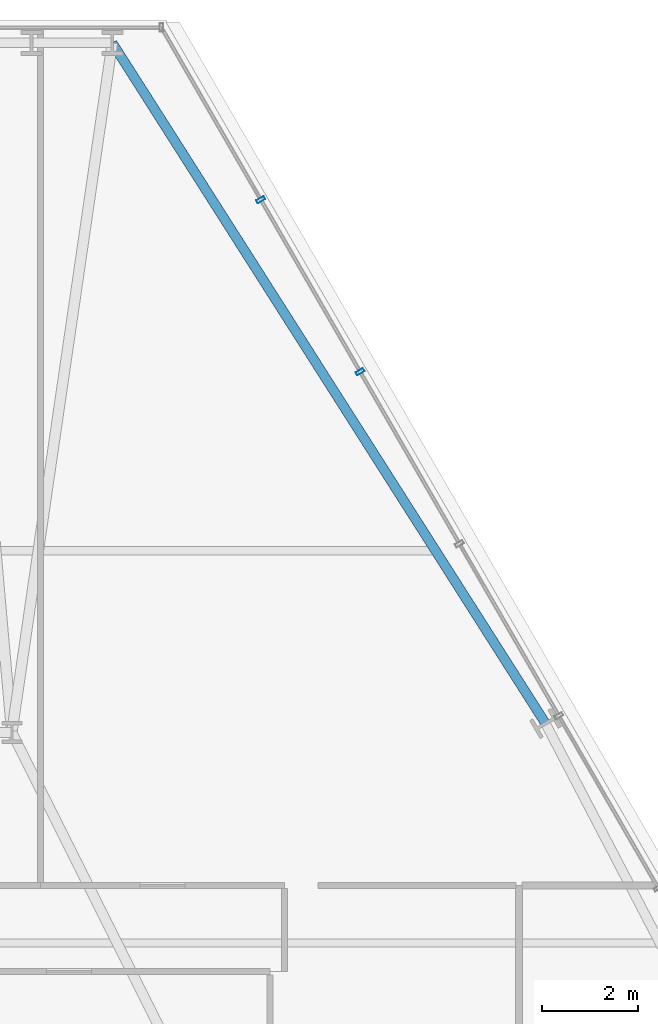
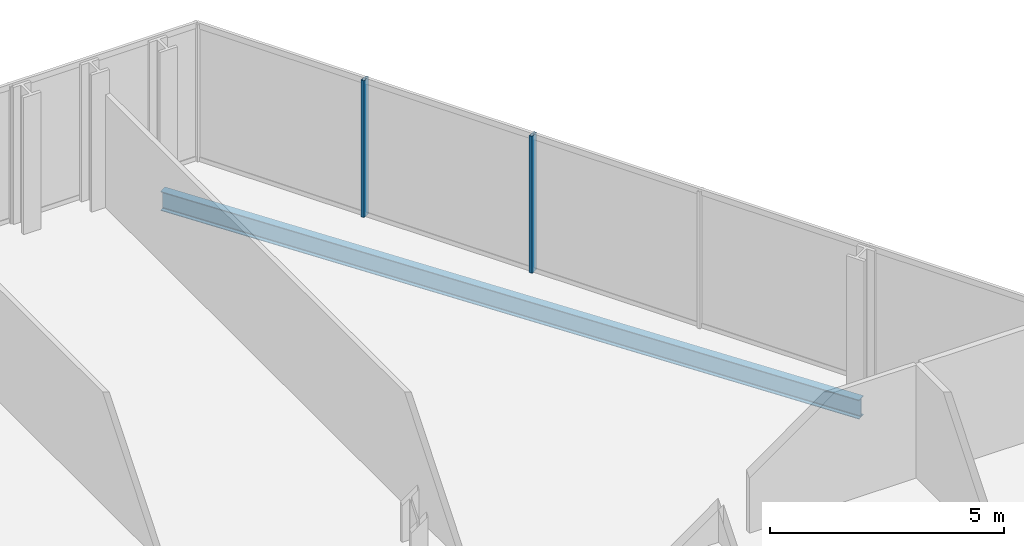
# One storey, part 25 of 32: 2 members, 1 beam, 1 element without a shape of its own.
"""IFC4 building model written with IfcOpenShell, lengths in metres."""

from ifc_helpers import new_model, si_unit, direction, frame, origin, origin_2d, place, context, subcontext, project, spatial, hollow_rectangle, i_section, extrude, material, layer, layer_set, material_profile, profile_set, type_object, element, aggregate, save


model = new_model("IFC4")

# Units and contexts
model_context = context("Model", 3, precision=1e-05, world=origin(), true_north=direction((0.0, 1.0)))
body_context = subcontext(model_context, "Body", "Model", "MODEL_VIEW")
ifc_project = project(units=[si_unit("LENGTHUNIT", "METRE"), si_unit("AREAUNIT", "SQUARE_METRE"), si_unit("VOLUMEUNIT", "CUBIC_METRE"), si_unit("PLANEANGLEUNIT", "RADIAN"), si_unit("MASSUNIT", "GRAM", prefix="KILO")], contexts=[model_context])

# Site, building, storey
site_placement = place(None, origin())
site = spatial("IfcSite", under=ifc_project, at=site_placement, CompositionType="ELEMENT")
building_placement = place(site_placement, origin())
building = spatial("IfcBuilding", under=site, at=building_placement, Name="Ndaravel Arena Tower", CompositionType="ELEMENT")
storey_placement = place(building_placement, frame((0.0, 0.0, 93.0)))
storey = spatial("IfcBuildingStorey", under=building, at=storey_placement, Name="L21", CompositionType="ELEMENT", Elevation=93.0)

# Beam
ifc_material_1 = material(Name="Steel S355", Category="steel")
ifc_material_profile_1 = material_profile(ifc_material_1, i_section(OverallWidth=0.199951171875, OverallDepth=0.5, WebThickness=0.01025390625, FlangeThickness=0.01611328125, FilletRadius=0.02099609375, at=origin_2d()), Name="IPE 500")
ifc_profile_set_1 = profile_set([ifc_material_profile_1], Name="Steel S355")
beam_type = type_object("IfcBeamType", Name="BM-SPAN-IPE500", PredefinedType="SPANDREL", material=ifc_profile_set_1)
beam_placement = place(storey_placement, frame((56.957763671875, 31.387451171875, -0.469970703125), z_axis=(-0.537028166035, 0.84356431224, 0.0), x_axis=(-0.84356431224, -0.537028166035, 0.0)))
element("IfcBeam", 1, at=beam_placement, inside=storey, type_object=beam_type, Name="L21 Perimeter Spandrel Beam SP-10", PredefinedType="SPANDREL", context=body_context, shape_type="SweptSolid", body=[
    extrude(i_section(OverallWidth=0.199951171875, OverallDepth=0.5, WebThickness=0.01025390625, FlangeThickness=0.01611328125, FilletRadius=0.02099609375, at=origin_2d()), origin(), (0.0, 0.0, 1.0), 16.86474609375),
])

# Curtain wall, members
ifc_material_2 = material(Name="Aluminium", Category="aluminium")
ifc_layer = layer(ifc_material_2, 0.179931640625)
ifc_layer_set = layer_set([ifc_layer], Name="Aluminium")
curtain_wall_type = type_object("IfcCurtainWallType", Name="CW-SYS-03", PredefinedType="NOTDEFINED", material=ifc_layer_set)
curtain_wall_placement = place(storey_placement, origin())
curtain_wall = element("IfcCurtainWall", 2, at=curtain_wall_placement, inside=storey, type_object=curtain_wall_type, Name="L21 Faceted Crystal Curtain Wall CW-L21-E03", PredefinedType="NOTDEFINED")
ifc_material_3 = material(Name="Aluminium", Category="aluminium")
ifc_material_profile_2 = material_profile(ifc_material_3, hollow_rectangle(XDim=0.074951171875, YDim=0.179931640625, WallThickness=0.00390625, at=origin_2d()), Name="CW MULLION 75x180x4")
ifc_profile_set_2 = profile_set([ifc_material_profile_2], Name="Aluminium")
member_type = type_object("IfcMemberType", Name="MEM-CW-MUL180", PredefinedType="MULLION", material=ifc_profile_set_2)
member_1_placement = place(storey_placement, frame((53.081787109375, 38.74072265625, 0.0), z_axis=(0.0, 0.0, 1.0), x_axis=(-0.5, 0.866025403784, 0.0)))
member_1 = element("IfcMember", 3, at=member_1_placement, type_object=member_type, Name="CW-L21-E03 Mullion 06", PredefinedType="MULLION", context=body_context, shape_type="SweptSolid", body=[
    extrude(hollow_rectangle(XDim=0.074951171875, YDim=0.179931640625, WallThickness=0.00390625, at=origin_2d()), origin(), (0.0, 0.0, 1.0), 3.580078125),
])
member_2_placement = place(storey_placement, frame((51.005126953125, 42.33740234375, 0.0), z_axis=(0.0, 0.0, 1.0), x_axis=(-0.5, 0.866025403784, 0.0)))
member_2 = element("IfcMember", 4, at=member_2_placement, type_object=member_type, Name="CW-L21-E03 Mullion 07", PredefinedType="MULLION", context=body_context, shape_type="SweptSolid", body=[
    extrude(hollow_rectangle(XDim=0.074951171875, YDim=0.179931640625, WallThickness=0.00390625, at=origin_2d()), origin(), (0.0, 0.0, 1.0), 3.580078125),
])
aggregate(curtain_wall, [member_1, member_2])

save(model, "model.ifc")
